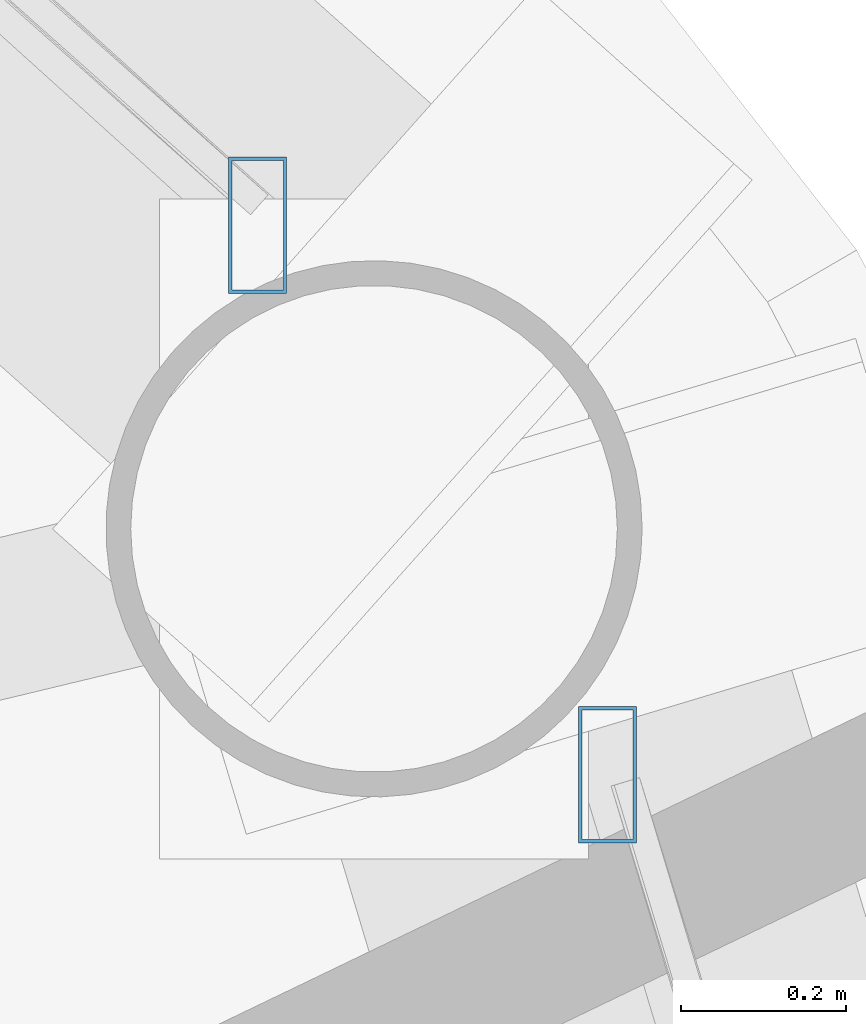
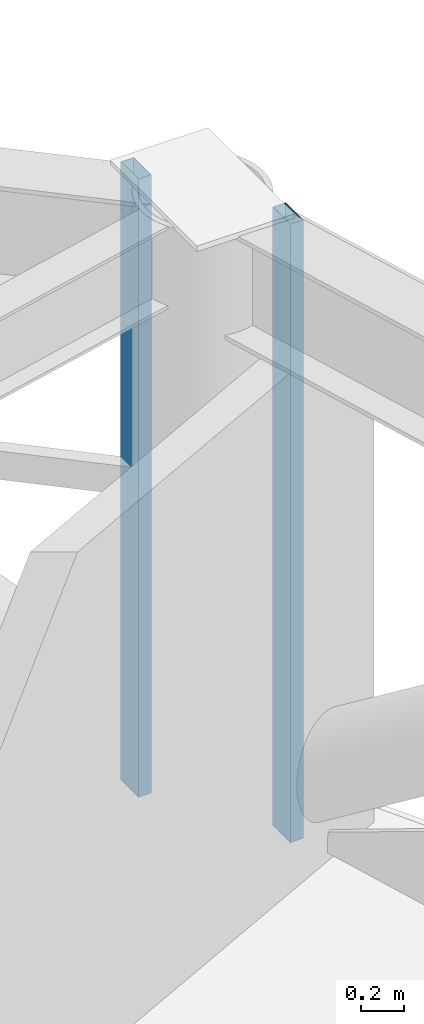
# One storey, part 15 of 29: 2 members, 2 elements without a shape of their own.
"""IFC4 building model written with IfcOpenShell, lengths in metres."""

from ifc_helpers import new_model, si_unit, direction, frame, origin, origin_2d, place, context, subcontext, project, spatial, hollow_rectangle, extrude, material, layer, layer_set, material_profile, profile_set, type_object, element, aggregate, save


model = new_model("IFC4")

# Units and contexts
model_context = context("Model", 3, precision=1e-05, world=origin(), true_north=direction((0.0, 1.0)))
body_context = subcontext(model_context, "Body", "Model", "MODEL_VIEW")
ifc_project = project(units=[si_unit("LENGTHUNIT", "METRE"), si_unit("AREAUNIT", "SQUARE_METRE"), si_unit("VOLUMEUNIT", "CUBIC_METRE"), si_unit("PLANEANGLEUNIT", "RADIAN"), si_unit("MASSUNIT", "GRAM", prefix="KILO")], contexts=[model_context])

# Site, building, storey
site_placement = place(None, origin())
site = spatial("IfcSite", under=ifc_project, at=site_placement, CompositionType="ELEMENT")
building_placement = place(site_placement, origin())
building = spatial("IfcBuilding", under=site, at=building_placement, Name="Vantalir Tower", CompositionType="ELEMENT")
storey_placement = place(building_placement, frame((0.0, 0.0, 234.89990234375)))
storey = spatial("IfcBuildingStorey", under=building, at=storey_placement, Name="L59", CompositionType="ELEMENT", Elevation=234.89990234375)

# Curtain wall, member
ifc_material_1 = material(Name="Champagne-silver PVDF aluminium and double-silver Low-E glass", Category="aluminium")
ifc_layer = layer(ifc_material_1, 0.2099609375)
ifc_layer_set = layer_set([ifc_layer], Name="Champagne-silver PVDF aluminium and double-silver Low-E glass")
curtain_wall_type = type_object("IfcCurtainWallType", Name="CW-DIAMOND-Z3", PredefinedType="USERDEFINED", material=ifc_layer_set)
curtain_wall_1_placement = place(storey_placement, origin())
curtain_wall_1 = element("IfcCurtainWall", 1, at=curtain_wall_1_placement, inside=storey, type_object=curtain_wall_type, Name="L59 Quilted Pyramid-Diamond Curtain Wall S01", ObjectType="UNITISED CURTAIN WALL", PredefinedType="USERDEFINED")
ifc_material_2 = material(Name="Champagne-silver PVDF aluminium 6063-T6", Category="aluminium")
ifc_material_profile = material_profile(ifc_material_2, hollow_rectangle(XDim=0.070068359375, YDim=0.1650390625, WallThickness=0.00390625, at=origin_2d()), Name="Champagne-silver PVDF aluminium 6063-T6")
ifc_profile_set = profile_set([ifc_material_profile], Name="Champagne-silver PVDF aluminium 6063-T6")
member_type = type_object("IfcMemberType", Name="CWM-165x70", PredefinedType="MULLION", material=ifc_profile_set)
member_1_placement = place(storey_placement, frame((50.591064453125, 34.367919921875, 0.045166015625), z_axis=(0.0, 0.0, 1.0), x_axis=(1.0, 0.0, 0.0)))
member_1 = element("IfcMember", 2, at=member_1_placement, type_object=member_type, Name="CW-L59-S01 Mullion 2", PredefinedType="MULLION", context=body_context, shape_type="SweptSolid", body=[
    extrude(hollow_rectangle(XDim=0.070068359375, YDim=0.1650390625, WallThickness=0.00390625, at=origin_2d()), origin(), (0.0, 0.0, 1.0), 3.47998046875),
])
aggregate(curtain_wall_1, [member_1])

curtain_wall_2_placement = place(storey_placement, origin())
curtain_wall_2 = element("IfcCurtainWall", 3, at=curtain_wall_2_placement, inside=storey, type_object=curtain_wall_type, Name="L59 Quilted Pyramid-Diamond Curtain Wall S02", ObjectType="UNITISED CURTAIN WALL", PredefinedType="USERDEFINED")
member_2_placement = place(storey_placement, frame((50.1669921875, 35.033935546875, 0.045166015625), z_axis=(0.0, 0.0, 1.0), x_axis=(1.0, 0.0, 0.0)))
member_2 = element("IfcMember", 4, at=member_2_placement, type_object=member_type, Name="CW-L59-S02 Mullion 1", PredefinedType="MULLION", context=body_context, shape_type="SweptSolid", body=[
    extrude(hollow_rectangle(XDim=0.070068359375, YDim=0.1650390625, WallThickness=0.00390625, at=origin_2d()), origin(), (0.0, 0.0, 1.0), 3.47998046875),
])
aggregate(curtain_wall_2, [member_2])

save(model, "model.ifc")
